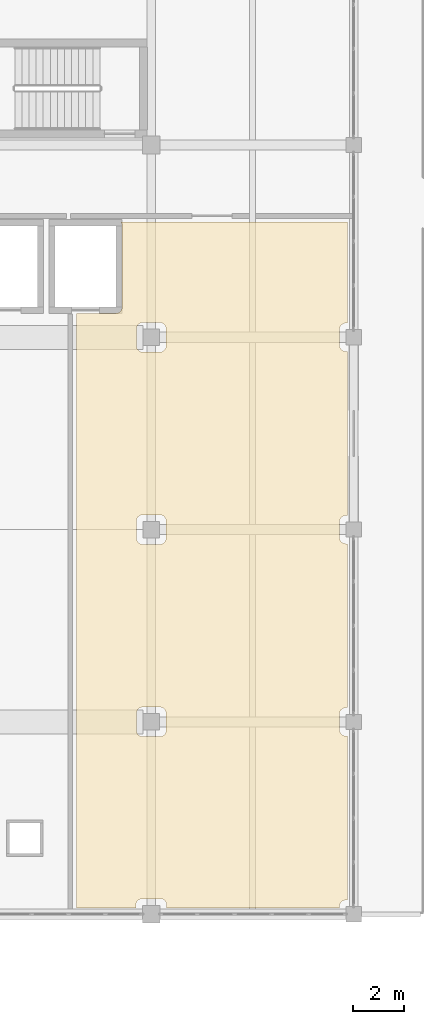
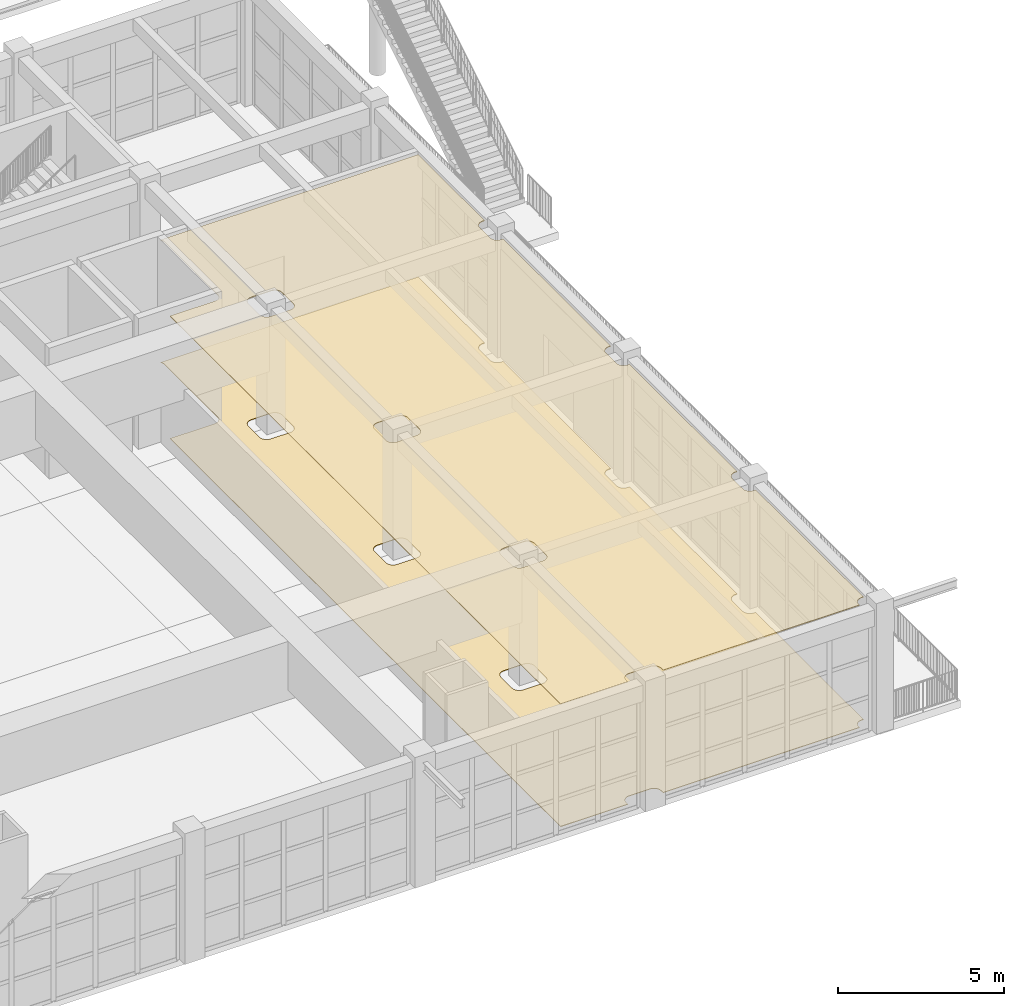
# One storey, part 46 of 50: 2 coverings.
"""IFC4 building model written with IfcOpenShell, lengths in metres."""

from ifc_helpers import new_model, si_unit, direction, frame, origin, place, context, subcontext, project, spatial, polyline, outline, extrude, material, layer, layer_set, type_object, element, save


model = new_model("IFC4")

# Units and contexts
model_context = context("Model", 3, precision=1e-05, world=origin(), true_north=direction((0.0, 1.0)))
body_context = subcontext(model_context, "Body", "Model", "MODEL_VIEW")
ifc_project = project(units=[si_unit("LENGTHUNIT", "METRE"), si_unit("AREAUNIT", "SQUARE_METRE"), si_unit("VOLUMEUNIT", "CUBIC_METRE"), si_unit("PLANEANGLEUNIT", "RADIAN"), si_unit("MASSUNIT", "GRAM", prefix="KILO")], contexts=[model_context])

# Site, building, storey
site_placement = place(None, origin())
site = spatial("IfcSite", under=ifc_project, at=site_placement, CompositionType="ELEMENT")
building_placement = place(site_placement, origin())
building = spatial("IfcBuilding", under=site, at=building_placement, Name="Zantavel Square City Hall", CompositionType="ELEMENT")
storey_placement = place(building_placement, frame((0.0, 0.0, 18.89990234375)))
storey = spatial("IfcBuildingStorey", under=building, at=storey_placement, Name="L05", CompositionType="ELEMENT", Elevation=18.89990234375)

# Coverings
ifc_material_1 = material(Name="Terrazzo stone finish", Category="masonry")
ifc_layer_1 = layer(ifc_material_1, 0.02001953125, Name="Terrazzo stone finish")
ifc_layer_set_1 = layer_set([ifc_layer_1], Name="Terrazzo stone finish")
covering_type_1 = type_object("IfcCoveringType", Name="Honed Cantera-Terrazzo Civic Flooring 20mm", PredefinedType="FLOORING", material=ifc_layer_set_1)
covering_1_placement = place(storey_placement, origin())
element("IfcCovering", 1, at=covering_1_placement, inside=storey, type_object=covering_type_1, Name="L05 Council Deliberation Lounge East Terrazzo Flooring", PredefinedType="FLOORING", context=body_context, shape_type="SweptSolid", body=[
    extrude(outline(polyline([(102.648681640625, 54.15478515625), (102.672607421875, 54.160888671875), (102.69580078125, 54.1689453125), (102.7177734375, 54.179443359375), (102.739013671875, 54.192138671875), (102.758544921875, 54.206787109375), (102.77685546875, 54.22314453125), (102.793212890625, 54.241455078125), (102.807861328125, 54.260986328125), (102.820556640625, 54.2822265625), (102.8310546875, 54.30419921875), (102.839111328125, 54.327392578125), (102.84521484375, 54.351318359375), (102.848876953125, 54.37548828125), (102.85009765625, 54.39990234375), (102.85009765625, 57.60009765625), (102.848876953125, 57.62451171875), (102.84521484375, 57.648681640625), (102.839111328125, 57.672607421875), (102.8310546875, 57.69580078125), (102.820556640625, 57.7177734375), (102.807861328125, 57.739013671875), (102.799560546875, 57.75), (111.75, 57.75), (111.75, 53.760009765625), (111.68994140625, 53.760009765625), (111.66552734375, 53.7587890625), (111.64111328125, 53.755126953125), (111.617431640625, 53.749267578125), (111.59423828125, 53.740966796875), (111.572265625, 53.73046875), (111.551025390625, 53.718017578125), (111.531494140625, 53.703369140625), (111.51318359375, 53.686767578125), (111.49658203125, 53.668701171875), (111.482177734375, 53.64892578125), (111.469482421875, 53.627685546875), (111.458984375, 53.605712890625), (111.45068359375, 53.58251953125), (111.44482421875, 53.558837890625), (111.441162109375, 53.534423828125), (111.43994140625, 53.510009765625), (111.43994140625, 52.889892578125), (111.441162109375, 52.865478515625), (111.44482421875, 52.84130859375), (111.45068359375, 52.8173828125), (111.458984375, 52.794189453125), (111.469482421875, 52.772216796875), (111.482177734375, 52.751220703125), (111.49658203125, 52.7314453125), (111.51318359375, 52.713134765625), (111.531494140625, 52.69677734375), (111.551025390625, 52.68212890625), (111.572265625, 52.66943359375), (111.59423828125, 52.658935546875), (111.617431640625, 52.65087890625), (111.64111328125, 52.644775390625), (111.66552734375, 52.64111328125), (111.68994140625, 52.639892578125), (111.75, 52.639892578125), (111.75, 46.159912109375), (111.68994140625, 46.159912109375), (111.66552734375, 46.15869140625), (111.64111328125, 46.1552734375), (111.617431640625, 46.149169921875), (111.59423828125, 46.14111328125), (111.572265625, 46.130615234375), (111.551025390625, 46.117919921875), (111.531494140625, 46.103271484375), (111.51318359375, 46.0869140625), (111.49658203125, 46.068603515625), (111.482177734375, 46.048828125), (111.469482421875, 46.02783203125), (111.458984375, 46.005615234375), (111.45068359375, 45.982666015625), (111.44482421875, 45.958740234375), (111.441162109375, 45.9345703125), (111.43994140625, 45.909912109375), (111.43994140625, 45.2900390625), (111.441162109375, 45.265380859375), (111.44482421875, 45.2412109375), (111.45068359375, 45.21728515625), (111.458984375, 45.1943359375), (111.469482421875, 45.172119140625), (111.482177734375, 45.151123046875), (111.49658203125, 45.13134765625), (111.51318359375, 45.11328125), (111.531494140625, 45.0966796875), (111.551025390625, 45.08203125), (111.572265625, 45.069580078125), (111.59423828125, 45.05908203125), (111.617431640625, 45.05078125), (111.64111328125, 45.044921875), (111.66552734375, 45.041259765625), (111.68994140625, 45.0400390625), (111.75, 45.0400390625), (111.75, 38.56005859375), (111.68994140625, 38.56005859375), (111.66552734375, 38.558837890625), (111.64111328125, 38.55517578125), (111.617431640625, 38.54931640625), (111.59423828125, 38.541015625), (111.572265625, 38.530517578125), (111.551025390625, 38.517822265625), (111.531494140625, 38.50341796875), (111.51318359375, 38.48681640625), (111.49658203125, 38.468505859375), (111.482177734375, 38.448974609375), (111.469482421875, 38.427734375), (111.458984375, 38.40576171875), (111.45068359375, 38.382568359375), (111.44482421875, 38.35888671875), (111.441162109375, 38.33447265625), (111.43994140625, 38.31005859375), (111.43994140625, 37.68994140625), (111.441162109375, 37.66552734375), (111.44482421875, 37.64111328125), (111.45068359375, 37.617431640625), (111.458984375, 37.59423828125), (111.469482421875, 37.572265625), (111.482177734375, 37.551025390625), (111.49658203125, 37.531494140625), (111.51318359375, 37.51318359375), (111.531494140625, 37.49658203125), (111.551025390625, 37.482177734375), (111.572265625, 37.469482421875), (111.59423828125, 37.458984375), (111.617431640625, 37.45068359375), (111.64111328125, 37.44482421875), (111.66552734375, 37.441162109375), (111.68994140625, 37.43994140625), (111.75, 37.43994140625), (111.75, 30.9599609375), (111.68994140625, 30.9599609375), (111.66552734375, 30.958740234375), (111.64111328125, 30.955078125), (111.617431640625, 30.94921875), (111.59423828125, 30.94091796875), (111.572265625, 30.930419921875), (111.551025390625, 30.91796875), (111.531494140625, 30.9033203125), (111.51318359375, 30.88671875), (111.49658203125, 30.86865234375), (111.482177734375, 30.848876953125), (111.469482421875, 30.827880859375), (111.458984375, 30.8056640625), (111.45068359375, 30.78271484375), (111.44482421875, 30.7587890625), (111.441162109375, 30.734619140625), (111.43994140625, 30.7099609375), (111.43994140625, 30.64990234375), (104.610107421875, 30.64990234375), (104.610107421875, 30.760009765625), (104.60888671875, 30.784423828125), (104.605224609375, 30.808837890625), (104.59912109375, 30.83251953125), (104.591064453125, 30.855712890625), (104.58056640625, 30.877685546875), (104.56787109375, 30.89892578125), (104.55322265625, 30.918701171875), (104.536865234375, 30.936767578125), (104.5185546875, 30.953369140625), (104.498779296875, 30.968017578125), (104.477783203125, 30.98046875), (104.455810546875, 30.990966796875), (104.4326171875, 30.999267578125), (104.40869140625, 31.005126953125), (104.384521484375, 31.0087890625), (104.360107421875, 31.010009765625), (103.639892578125, 31.010009765625), (103.615478515625, 31.0087890625), (103.59130859375, 31.005126953125), (103.5673828125, 30.999267578125), (103.544189453125, 30.990966796875), (103.522216796875, 30.98046875), (103.501220703125, 30.968017578125), (103.4814453125, 30.953369140625), (103.463134765625, 30.936767578125), (103.44677734375, 30.918701171875), (103.43212890625, 30.89892578125), (103.41943359375, 30.877685546875), (103.408935546875, 30.855712890625), (103.40087890625, 30.83251953125), (103.394775390625, 30.808837890625), (103.39111328125, 30.784423828125), (103.389892578125, 30.760009765625), (103.389892578125, 30.64990234375), (101.050048828125, 30.64990234375), (101.050048828125, 54.14990234375), (102.60009765625, 54.14990234375), (102.62451171875, 54.151123046875), (102.648681640625, 54.15478515625)]), holes=[polyline([(103.419921875, 37.6162109375), (103.42578125, 37.59228515625), (103.43408203125, 37.5693359375), (103.444580078125, 37.547119140625), (103.45703125, 37.526123046875), (103.4716796875, 37.50634765625), (103.48828125, 37.48828125), (103.50634765625, 37.4716796875), (103.526123046875, 37.45703125), (103.547119140625, 37.444580078125), (103.5693359375, 37.43408203125), (103.59228515625, 37.42578125), (103.6162109375, 37.419921875), (103.640380859375, 37.416259765625), (103.6650390625, 37.4150390625), (104.3349609375, 37.4150390625), (104.359619140625, 37.416259765625), (104.3837890625, 37.419921875), (104.40771484375, 37.42578125), (104.4306640625, 37.43408203125), (104.452880859375, 37.444580078125), (104.473876953125, 37.45703125), (104.49365234375, 37.4716796875), (104.51171875, 37.48828125), (104.5283203125, 37.50634765625), (104.54296875, 37.526123046875), (104.555419921875, 37.547119140625), (104.56591796875, 37.5693359375), (104.57421875, 37.59228515625), (104.580078125, 37.6162109375), (104.583740234375, 37.640380859375), (104.5849609375, 37.6650390625), (104.5849609375, 38.3349609375), (104.583740234375, 38.359619140625), (104.580078125, 38.3837890625), (104.57421875, 38.40771484375), (104.56591796875, 38.4306640625), (104.555419921875, 38.452880859375), (104.54296875, 38.473876953125), (104.5283203125, 38.49365234375), (104.51171875, 38.51171875), (104.49365234375, 38.5283203125), (104.473876953125, 38.54296875), (104.452880859375, 38.555419921875), (104.4306640625, 38.56591796875), (104.40771484375, 38.57421875), (104.3837890625, 38.580078125), (104.359619140625, 38.583740234375), (104.3349609375, 38.5849609375), (103.6650390625, 38.5849609375), (103.640380859375, 38.583740234375), (103.6162109375, 38.580078125), (103.59228515625, 38.57421875), (103.5693359375, 38.56591796875), (103.547119140625, 38.555419921875), (103.526123046875, 38.54296875), (103.50634765625, 38.5283203125), (103.48828125, 38.51171875), (103.4716796875, 38.49365234375), (103.45703125, 38.473876953125), (103.444580078125, 38.452880859375), (103.43408203125, 38.4306640625), (103.42578125, 38.40771484375), (103.419921875, 38.3837890625), (103.416259765625, 38.359619140625), (103.4150390625, 38.3349609375), (103.4150390625, 37.6650390625), (103.416259765625, 37.640380859375), (103.419921875, 37.6162109375)]), polyline([(103.419921875, 45.21630859375), (103.42578125, 45.1923828125), (103.43408203125, 45.169189453125), (103.444580078125, 45.147216796875), (103.45703125, 45.126220703125), (103.4716796875, 45.1064453125), (103.48828125, 45.088134765625), (103.50634765625, 45.07177734375), (103.526123046875, 45.05712890625), (103.547119140625, 45.04443359375), (103.5693359375, 45.033935546875), (103.59228515625, 45.02587890625), (103.6162109375, 45.019775390625), (103.640380859375, 45.01611328125), (103.6650390625, 45.014892578125), (104.3349609375, 45.014892578125), (104.359619140625, 45.01611328125), (104.3837890625, 45.019775390625), (104.40771484375, 45.02587890625), (104.4306640625, 45.033935546875), (104.452880859375, 45.04443359375), (104.473876953125, 45.05712890625), (104.49365234375, 45.07177734375), (104.51171875, 45.088134765625), (104.5283203125, 45.1064453125), (104.54296875, 45.126220703125), (104.555419921875, 45.147216796875), (104.56591796875, 45.169189453125), (104.57421875, 45.1923828125), (104.580078125, 45.21630859375), (104.583740234375, 45.240478515625), (104.5849609375, 45.264892578125), (104.5849609375, 45.93505859375), (104.583740234375, 45.95947265625), (104.580078125, 45.98388671875), (104.57421875, 46.007568359375), (104.56591796875, 46.03076171875), (104.555419921875, 46.052734375), (104.54296875, 46.073974609375), (104.5283203125, 46.093505859375), (104.51171875, 46.11181640625), (104.49365234375, 46.12841796875), (104.473876953125, 46.142822265625), (104.452880859375, 46.155517578125), (104.4306640625, 46.166015625), (104.40771484375, 46.17431640625), (104.3837890625, 46.18017578125), (104.359619140625, 46.183837890625), (104.3349609375, 46.18505859375), (103.6650390625, 46.18505859375), (103.640380859375, 46.183837890625), (103.6162109375, 46.18017578125), (103.59228515625, 46.17431640625), (103.5693359375, 46.166015625), (103.547119140625, 46.155517578125), (103.526123046875, 46.142822265625), (103.50634765625, 46.12841796875), (103.48828125, 46.11181640625), (103.4716796875, 46.093505859375), (103.45703125, 46.073974609375), (103.444580078125, 46.052734375), (103.43408203125, 46.03076171875), (103.42578125, 46.007568359375), (103.419921875, 45.98388671875), (103.416259765625, 45.95947265625), (103.4150390625, 45.93505859375), (103.4150390625, 45.264892578125), (103.416259765625, 45.240478515625), (103.419921875, 45.21630859375)]), polyline([(103.419921875, 52.816162109375), (103.42578125, 52.79248046875), (103.43408203125, 52.769287109375), (103.444580078125, 52.747314453125), (103.45703125, 52.72607421875), (103.4716796875, 52.706298828125), (103.48828125, 52.688232421875), (103.50634765625, 52.671630859375), (103.526123046875, 52.656982421875), (103.547119140625, 52.64453125), (103.5693359375, 52.634033203125), (103.59228515625, 52.625732421875), (103.6162109375, 52.619873046875), (103.640380859375, 52.6162109375), (103.6650390625, 52.614990234375), (104.3349609375, 52.614990234375), (104.359619140625, 52.6162109375), (104.3837890625, 52.619873046875), (104.40771484375, 52.625732421875), (104.4306640625, 52.634033203125), (104.452880859375, 52.64453125), (104.473876953125, 52.656982421875), (104.49365234375, 52.671630859375), (104.51171875, 52.688232421875), (104.5283203125, 52.706298828125), (104.54296875, 52.72607421875), (104.555419921875, 52.747314453125), (104.56591796875, 52.769287109375), (104.57421875, 52.79248046875), (104.580078125, 52.816162109375), (104.583740234375, 52.840576171875), (104.5849609375, 52.864990234375), (104.5849609375, 53.534912109375), (104.583740234375, 53.5595703125), (104.580078125, 53.583740234375), (104.57421875, 53.607666015625), (104.56591796875, 53.630615234375), (104.555419921875, 53.65283203125), (104.54296875, 53.673828125), (104.5283203125, 53.693603515625), (104.51171875, 53.7119140625), (104.49365234375, 53.728271484375), (104.473876953125, 53.742919921875), (104.452880859375, 53.755615234375), (104.4306640625, 53.76611328125), (104.40771484375, 53.774169921875), (104.3837890625, 53.7802734375), (104.359619140625, 53.78369140625), (104.3349609375, 53.784912109375), (103.6650390625, 53.784912109375), (103.640380859375, 53.78369140625), (103.6162109375, 53.7802734375), (103.59228515625, 53.774169921875), (103.5693359375, 53.76611328125), (103.547119140625, 53.755615234375), (103.526123046875, 53.742919921875), (103.50634765625, 53.728271484375), (103.48828125, 53.7119140625), (103.4716796875, 53.693603515625), (103.45703125, 53.673828125), (103.444580078125, 53.65283203125), (103.43408203125, 53.630615234375), (103.42578125, 53.607666015625), (103.419921875, 53.583740234375), (103.416259765625, 53.5595703125), (103.4150390625, 53.534912109375), (103.4150390625, 52.864990234375), (103.416259765625, 52.840576171875), (103.419921875, 52.816162109375)])]), origin(), (0.0, 0.0, 1.0), 0.02001953125),
])
ifc_material_2 = material(Name="Gypsum acoustic stud assembly", Category="masonry")
ifc_layer_2 = layer(ifc_material_2, 0.02490234375, Name="Gypsum acoustic stud assembly")
ifc_layer_set_2 = layer_set([ifc_layer_2], Name="Gypsum acoustic stud assembly")
covering_type_2 = type_object("IfcCoveringType", Name="Perforated Gypsum Acoustic Ceiling 25mm", PredefinedType="CEILING", material=ifc_layer_set_2)
covering_2_placement = place(storey_placement, frame((0.0, 0.0, 4.4951171875)))
element("IfcCovering", 2, at=covering_2_placement, inside=storey, type_object=covering_type_2, Name="L05 Council Deliberation Lounge East Acoustic Ceiling", PredefinedType="CEILING", context=body_context, shape_type="SweptSolid", body=[
    extrude(outline(polyline([(102.648681640625, 54.15478515625), (102.672607421875, 54.160888671875), (102.69580078125, 54.1689453125), (102.7177734375, 54.179443359375), (102.739013671875, 54.192138671875), (102.758544921875, 54.206787109375), (102.77685546875, 54.22314453125), (102.793212890625, 54.241455078125), (102.807861328125, 54.260986328125), (102.820556640625, 54.2822265625), (102.8310546875, 54.30419921875), (102.839111328125, 54.327392578125), (102.84521484375, 54.351318359375), (102.848876953125, 54.37548828125), (102.85009765625, 54.39990234375), (102.85009765625, 57.60009765625), (102.848876953125, 57.62451171875), (102.84521484375, 57.648681640625), (102.839111328125, 57.672607421875), (102.8310546875, 57.69580078125), (102.820556640625, 57.7177734375), (102.807861328125, 57.739013671875), (102.799560546875, 57.75), (111.75, 57.75), (111.75, 53.760009765625), (111.68994140625, 53.760009765625), (111.66552734375, 53.7587890625), (111.64111328125, 53.755126953125), (111.617431640625, 53.749267578125), (111.59423828125, 53.740966796875), (111.572265625, 53.73046875), (111.551025390625, 53.718017578125), (111.531494140625, 53.703369140625), (111.51318359375, 53.686767578125), (111.49658203125, 53.668701171875), (111.482177734375, 53.64892578125), (111.469482421875, 53.627685546875), (111.458984375, 53.605712890625), (111.45068359375, 53.58251953125), (111.44482421875, 53.558837890625), (111.441162109375, 53.534423828125), (111.43994140625, 53.510009765625), (111.43994140625, 52.889892578125), (111.441162109375, 52.865478515625), (111.44482421875, 52.84130859375), (111.45068359375, 52.8173828125), (111.458984375, 52.794189453125), (111.469482421875, 52.772216796875), (111.482177734375, 52.751220703125), (111.49658203125, 52.7314453125), (111.51318359375, 52.713134765625), (111.531494140625, 52.69677734375), (111.551025390625, 52.68212890625), (111.572265625, 52.66943359375), (111.59423828125, 52.658935546875), (111.617431640625, 52.65087890625), (111.64111328125, 52.644775390625), (111.66552734375, 52.64111328125), (111.68994140625, 52.639892578125), (111.75, 52.639892578125), (111.75, 46.159912109375), (111.68994140625, 46.159912109375), (111.66552734375, 46.15869140625), (111.64111328125, 46.1552734375), (111.617431640625, 46.149169921875), (111.59423828125, 46.14111328125), (111.572265625, 46.130615234375), (111.551025390625, 46.117919921875), (111.531494140625, 46.103271484375), (111.51318359375, 46.0869140625), (111.49658203125, 46.068603515625), (111.482177734375, 46.048828125), (111.469482421875, 46.02783203125), (111.458984375, 46.005615234375), (111.45068359375, 45.982666015625), (111.44482421875, 45.958740234375), (111.441162109375, 45.9345703125), (111.43994140625, 45.909912109375), (111.43994140625, 45.2900390625), (111.441162109375, 45.265380859375), (111.44482421875, 45.2412109375), (111.45068359375, 45.21728515625), (111.458984375, 45.1943359375), (111.469482421875, 45.172119140625), (111.482177734375, 45.151123046875), (111.49658203125, 45.13134765625), (111.51318359375, 45.11328125), (111.531494140625, 45.0966796875), (111.551025390625, 45.08203125), (111.572265625, 45.069580078125), (111.59423828125, 45.05908203125), (111.617431640625, 45.05078125), (111.64111328125, 45.044921875), (111.66552734375, 45.041259765625), (111.68994140625, 45.0400390625), (111.75, 45.0400390625), (111.75, 38.56005859375), (111.68994140625, 38.56005859375), (111.66552734375, 38.558837890625), (111.64111328125, 38.55517578125), (111.617431640625, 38.54931640625), (111.59423828125, 38.541015625), (111.572265625, 38.530517578125), (111.551025390625, 38.517822265625), (111.531494140625, 38.50341796875), (111.51318359375, 38.48681640625), (111.49658203125, 38.468505859375), (111.482177734375, 38.448974609375), (111.469482421875, 38.427734375), (111.458984375, 38.40576171875), (111.45068359375, 38.382568359375), (111.44482421875, 38.35888671875), (111.441162109375, 38.33447265625), (111.43994140625, 38.31005859375), (111.43994140625, 37.68994140625), (111.441162109375, 37.66552734375), (111.44482421875, 37.64111328125), (111.45068359375, 37.617431640625), (111.458984375, 37.59423828125), (111.469482421875, 37.572265625), (111.482177734375, 37.551025390625), (111.49658203125, 37.531494140625), (111.51318359375, 37.51318359375), (111.531494140625, 37.49658203125), (111.551025390625, 37.482177734375), (111.572265625, 37.469482421875), (111.59423828125, 37.458984375), (111.617431640625, 37.45068359375), (111.64111328125, 37.44482421875), (111.66552734375, 37.441162109375), (111.68994140625, 37.43994140625), (111.75, 37.43994140625), (111.75, 30.9599609375), (111.68994140625, 30.9599609375), (111.66552734375, 30.958740234375), (111.64111328125, 30.955078125), (111.617431640625, 30.94921875), (111.59423828125, 30.94091796875), (111.572265625, 30.930419921875), (111.551025390625, 30.91796875), (111.531494140625, 30.9033203125), (111.51318359375, 30.88671875), (111.49658203125, 30.86865234375), (111.482177734375, 30.848876953125), (111.469482421875, 30.827880859375), (111.458984375, 30.8056640625), (111.45068359375, 30.78271484375), (111.44482421875, 30.7587890625), (111.441162109375, 30.734619140625), (111.43994140625, 30.7099609375), (111.43994140625, 30.64990234375), (104.610107421875, 30.64990234375), (104.610107421875, 30.760009765625), (104.60888671875, 30.784423828125), (104.605224609375, 30.808837890625), (104.59912109375, 30.83251953125), (104.591064453125, 30.855712890625), (104.58056640625, 30.877685546875), (104.56787109375, 30.89892578125), (104.55322265625, 30.918701171875), (104.536865234375, 30.936767578125), (104.5185546875, 30.953369140625), (104.498779296875, 30.968017578125), (104.477783203125, 30.98046875), (104.455810546875, 30.990966796875), (104.4326171875, 30.999267578125), (104.40869140625, 31.005126953125), (104.384521484375, 31.0087890625), (104.360107421875, 31.010009765625), (103.639892578125, 31.010009765625), (103.615478515625, 31.0087890625), (103.59130859375, 31.005126953125), (103.5673828125, 30.999267578125), (103.544189453125, 30.990966796875), (103.522216796875, 30.98046875), (103.501220703125, 30.968017578125), (103.4814453125, 30.953369140625), (103.463134765625, 30.936767578125), (103.44677734375, 30.918701171875), (103.43212890625, 30.89892578125), (103.41943359375, 30.877685546875), (103.408935546875, 30.855712890625), (103.40087890625, 30.83251953125), (103.394775390625, 30.808837890625), (103.39111328125, 30.784423828125), (103.389892578125, 30.760009765625), (103.389892578125, 30.64990234375), (101.050048828125, 30.64990234375), (101.050048828125, 54.14990234375), (102.60009765625, 54.14990234375), (102.62451171875, 54.151123046875), (102.648681640625, 54.15478515625)]), holes=[polyline([(103.419921875, 37.6162109375), (103.42578125, 37.59228515625), (103.43408203125, 37.5693359375), (103.444580078125, 37.547119140625), (103.45703125, 37.526123046875), (103.4716796875, 37.50634765625), (103.48828125, 37.48828125), (103.50634765625, 37.4716796875), (103.526123046875, 37.45703125), (103.547119140625, 37.444580078125), (103.5693359375, 37.43408203125), (103.59228515625, 37.42578125), (103.6162109375, 37.419921875), (103.640380859375, 37.416259765625), (103.6650390625, 37.4150390625), (104.3349609375, 37.4150390625), (104.359619140625, 37.416259765625), (104.3837890625, 37.419921875), (104.40771484375, 37.42578125), (104.4306640625, 37.43408203125), (104.452880859375, 37.444580078125), (104.473876953125, 37.45703125), (104.49365234375, 37.4716796875), (104.51171875, 37.48828125), (104.5283203125, 37.50634765625), (104.54296875, 37.526123046875), (104.555419921875, 37.547119140625), (104.56591796875, 37.5693359375), (104.57421875, 37.59228515625), (104.580078125, 37.6162109375), (104.583740234375, 37.640380859375), (104.5849609375, 37.6650390625), (104.5849609375, 38.3349609375), (104.583740234375, 38.359619140625), (104.580078125, 38.3837890625), (104.57421875, 38.40771484375), (104.56591796875, 38.4306640625), (104.555419921875, 38.452880859375), (104.54296875, 38.473876953125), (104.5283203125, 38.49365234375), (104.51171875, 38.51171875), (104.49365234375, 38.5283203125), (104.473876953125, 38.54296875), (104.452880859375, 38.555419921875), (104.4306640625, 38.56591796875), (104.40771484375, 38.57421875), (104.3837890625, 38.580078125), (104.359619140625, 38.583740234375), (104.3349609375, 38.5849609375), (103.6650390625, 38.5849609375), (103.640380859375, 38.583740234375), (103.6162109375, 38.580078125), (103.59228515625, 38.57421875), (103.5693359375, 38.56591796875), (103.547119140625, 38.555419921875), (103.526123046875, 38.54296875), (103.50634765625, 38.5283203125), (103.48828125, 38.51171875), (103.4716796875, 38.49365234375), (103.45703125, 38.473876953125), (103.444580078125, 38.452880859375), (103.43408203125, 38.4306640625), (103.42578125, 38.40771484375), (103.419921875, 38.3837890625), (103.416259765625, 38.359619140625), (103.4150390625, 38.3349609375), (103.4150390625, 37.6650390625), (103.416259765625, 37.640380859375), (103.419921875, 37.6162109375)]), polyline([(103.419921875, 45.21630859375), (103.42578125, 45.1923828125), (103.43408203125, 45.169189453125), (103.444580078125, 45.147216796875), (103.45703125, 45.126220703125), (103.4716796875, 45.1064453125), (103.48828125, 45.088134765625), (103.50634765625, 45.07177734375), (103.526123046875, 45.05712890625), (103.547119140625, 45.04443359375), (103.5693359375, 45.033935546875), (103.59228515625, 45.02587890625), (103.6162109375, 45.019775390625), (103.640380859375, 45.01611328125), (103.6650390625, 45.014892578125), (104.3349609375, 45.014892578125), (104.359619140625, 45.01611328125), (104.3837890625, 45.019775390625), (104.40771484375, 45.02587890625), (104.4306640625, 45.033935546875), (104.452880859375, 45.04443359375), (104.473876953125, 45.05712890625), (104.49365234375, 45.07177734375), (104.51171875, 45.088134765625), (104.5283203125, 45.1064453125), (104.54296875, 45.126220703125), (104.555419921875, 45.147216796875), (104.56591796875, 45.169189453125), (104.57421875, 45.1923828125), (104.580078125, 45.21630859375), (104.583740234375, 45.240478515625), (104.5849609375, 45.264892578125), (104.5849609375, 45.93505859375), (104.583740234375, 45.95947265625), (104.580078125, 45.98388671875), (104.57421875, 46.007568359375), (104.56591796875, 46.03076171875), (104.555419921875, 46.052734375), (104.54296875, 46.073974609375), (104.5283203125, 46.093505859375), (104.51171875, 46.11181640625), (104.49365234375, 46.12841796875), (104.473876953125, 46.142822265625), (104.452880859375, 46.155517578125), (104.4306640625, 46.166015625), (104.40771484375, 46.17431640625), (104.3837890625, 46.18017578125), (104.359619140625, 46.183837890625), (104.3349609375, 46.18505859375), (103.6650390625, 46.18505859375), (103.640380859375, 46.183837890625), (103.6162109375, 46.18017578125), (103.59228515625, 46.17431640625), (103.5693359375, 46.166015625), (103.547119140625, 46.155517578125), (103.526123046875, 46.142822265625), (103.50634765625, 46.12841796875), (103.48828125, 46.11181640625), (103.4716796875, 46.093505859375), (103.45703125, 46.073974609375), (103.444580078125, 46.052734375), (103.43408203125, 46.03076171875), (103.42578125, 46.007568359375), (103.419921875, 45.98388671875), (103.416259765625, 45.95947265625), (103.4150390625, 45.93505859375), (103.4150390625, 45.264892578125), (103.416259765625, 45.240478515625), (103.419921875, 45.21630859375)]), polyline([(103.419921875, 52.816162109375), (103.42578125, 52.79248046875), (103.43408203125, 52.769287109375), (103.444580078125, 52.747314453125), (103.45703125, 52.72607421875), (103.4716796875, 52.706298828125), (103.48828125, 52.688232421875), (103.50634765625, 52.671630859375), (103.526123046875, 52.656982421875), (103.547119140625, 52.64453125), (103.5693359375, 52.634033203125), (103.59228515625, 52.625732421875), (103.6162109375, 52.619873046875), (103.640380859375, 52.6162109375), (103.6650390625, 52.614990234375), (104.3349609375, 52.614990234375), (104.359619140625, 52.6162109375), (104.3837890625, 52.619873046875), (104.40771484375, 52.625732421875), (104.4306640625, 52.634033203125), (104.452880859375, 52.64453125), (104.473876953125, 52.656982421875), (104.49365234375, 52.671630859375), (104.51171875, 52.688232421875), (104.5283203125, 52.706298828125), (104.54296875, 52.72607421875), (104.555419921875, 52.747314453125), (104.56591796875, 52.769287109375), (104.57421875, 52.79248046875), (104.580078125, 52.816162109375), (104.583740234375, 52.840576171875), (104.5849609375, 52.864990234375), (104.5849609375, 53.534912109375), (104.583740234375, 53.5595703125), (104.580078125, 53.583740234375), (104.57421875, 53.607666015625), (104.56591796875, 53.630615234375), (104.555419921875, 53.65283203125), (104.54296875, 53.673828125), (104.5283203125, 53.693603515625), (104.51171875, 53.7119140625), (104.49365234375, 53.728271484375), (104.473876953125, 53.742919921875), (104.452880859375, 53.755615234375), (104.4306640625, 53.76611328125), (104.40771484375, 53.774169921875), (104.3837890625, 53.7802734375), (104.359619140625, 53.78369140625), (104.3349609375, 53.784912109375), (103.6650390625, 53.784912109375), (103.640380859375, 53.78369140625), (103.6162109375, 53.7802734375), (103.59228515625, 53.774169921875), (103.5693359375, 53.76611328125), (103.547119140625, 53.755615234375), (103.526123046875, 53.742919921875), (103.50634765625, 53.728271484375), (103.48828125, 53.7119140625), (103.4716796875, 53.693603515625), (103.45703125, 53.673828125), (103.444580078125, 53.65283203125), (103.43408203125, 53.630615234375), (103.42578125, 53.607666015625), (103.419921875, 53.583740234375), (103.416259765625, 53.5595703125), (103.4150390625, 53.534912109375), (103.4150390625, 52.864990234375), (103.416259765625, 52.840576171875), (103.419921875, 52.816162109375)])]), origin(), (0.0, 0.0, 1.0), 0.02490234375),
])

save(model, "model.ifc")
